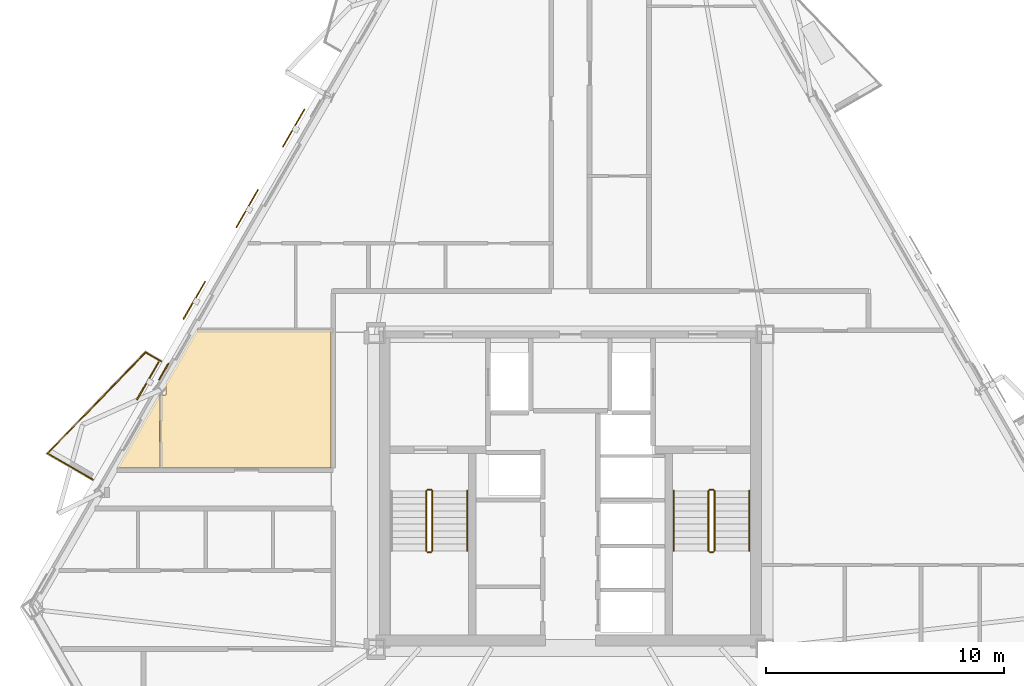
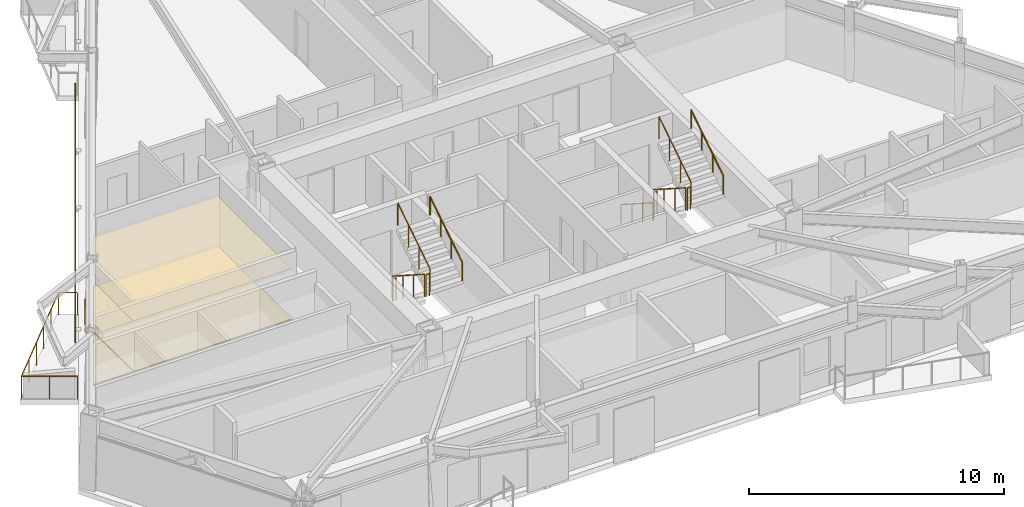
# One storey, part 8 of 9: 14 railings, 5 coverings, 4 shading devices.
"""IFC4 building model written with IfcOpenShell, lengths in metres."""

from ifc_helpers import new_model, si_unit, direction, frame, origin, origin_2d, place, context, subcontext, project, spatial, polyline, rectangle, circle, outline, extrude, material, layer, layer_set, type_object, element, save


model = new_model("IFC4")

# Units and contexts
model_context = context("Model", 3, precision=1e-05, world=origin(), true_north=direction((0.0, 1.0)))
body_context = subcontext(model_context, "Body", "Model", "MODEL_VIEW")
ifc_project = project(units=[si_unit("LENGTHUNIT", "METRE"), si_unit("AREAUNIT", "SQUARE_METRE"), si_unit("VOLUMEUNIT", "CUBIC_METRE"), si_unit("PLANEANGLEUNIT", "RADIAN"), si_unit("MASSUNIT", "GRAM", prefix="KILO")], contexts=[model_context])

# Site, building, storey
site_placement = place(None, origin())
site = spatial("IfcSite", under=ifc_project, at=site_placement, CompositionType="ELEMENT")
building_placement = place(site_placement, origin())
building = spatial("IfcBuilding", under=site, at=building_placement, Name="Oramaril Tower", CompositionType="ELEMENT")
storey_placement = place(building_placement, frame((0.0, 0.0, 145.800048828125)))
storey = spatial("IfcBuildingStorey", under=building, at=storey_placement, Name="L38", CompositionType="ELEMENT", Elevation=145.800048828125)

# Coverings
ifc_material_1 = material(Name="Mineral Fibre Acoustic Ceiling")
ifc_layer_1 = layer(ifc_material_1, 0.02001953125)
ifc_layer_set_1 = layer_set([ifc_layer_1], Name="CVT-CEIL")
covering_type_1 = type_object("IfcCoveringType", Name="CVT-CEIL", PredefinedType="CEILING", material=ifc_layer_set_1)
covering_1_placement = place(storey_placement, frame((0.0, 0.0, 2.411865234375)))
element("IfcCovering", 1, at=covering_1_placement, inside=storey, type_object=covering_type_1, Name="L38 Acoustic Suspended Ceiling 14", PredefinedType="CEILING", context=body_context, shape_type="SweptSolid", body=[
    extrude(outline(polyline([(20.292236328125, 21.608154296875), (20.538330078125, 21.608154296875), (20.538330078125, 22.097900390625), (20.509521484375, 22.097900390625), (21.816650390625, 24.362060546875), (27.449951171875, 24.362060546875), (27.449951171875, 24.239990234375), (27.4501953125, 24.238037109375), (27.450439453125, 24.236083984375), (27.450927734375, 24.234130859375), (27.451416015625, 24.232421875), (27.452392578125, 24.230712890625), (27.45263671875, 24.22998046875), (27.452392578125, 24.2294921875), (27.451416015625, 24.227783203125), (27.450927734375, 24.225830078125), (27.450439453125, 24.223876953125), (27.4501953125, 24.221923828125), (27.449951171875, 24.219970703125), (27.449951171875, 18.550048828125), (20.292236328125, 18.550048828125), (20.292236328125, 21.608154296875)])), origin(), (0.0, 0.0, 1.0), 0.02001953125),
])
covering_2_placement = place(storey_placement, frame((0.0, 0.0, 2.411865234375)))
element("IfcCovering", 2, at=covering_2_placement, inside=storey, type_object=covering_type_1, Name="L38 Acoustic Suspended Ceiling 15", PredefinedType="CEILING", context=body_context, shape_type="SweptSolid", body=[
    extrude(outline(polyline([(20.226806640625, 21.608154296875), (20.272216796875, 21.608154296875), (20.272216796875, 18.550048828125), (18.461181640625, 18.550048828125), (20.226806640625, 21.608154296875)])), origin(), (0.0, 0.0, 1.0), 0.02001953125),
])
ifc_material_2 = material(Name="Warm Cream Limestone", Category="masonry")
ifc_layer_2 = layer(ifc_material_2, 0.050048828125)
ifc_layer_set_2 = layer_set([ifc_layer_2], Name="CVT-CLD")
covering_type_2 = type_object("IfcCoveringType", Name="CVT-CLD", PredefinedType="CLADDING", material=ifc_layer_set_2)
covering_3_placement = place(storey_placement, frame((20.445068359375, 22.588134765625, 0.0400390625), z_axis=(0.0, 0.0, 1.0), x_axis=(-0.4999984885, -0.866026276448, 0.0)))
element("IfcCovering", 3, at=covering_3_placement, inside=storey, type_object=covering_type_2, Name="L38 Warm Cream Limestone Spandrel Cladding", PredefinedType="CLADDING", context=body_context, shape_type="SweptSolid", body=[
    extrude(rectangle(XDim=0.800048828125, YDim=0.050048828125, at=origin_2d()), origin(), (0.0, 0.0, 1.0), 0.679931640625),
])
ifc_material_3 = material(Name="Honed Quartzite Stone Flooring", Category="masonry")
ifc_layer_3 = layer(ifc_material_3, 0.02490234375)
ifc_layer_set_3 = layer_set([ifc_layer_3], Name="CVT-FLR")
covering_type_3 = type_object("IfcCoveringType", Name="CVT-FLR", PredefinedType="FLOORING", material=ifc_layer_set_3)
covering_4_placement = place(storey_placement, origin())
element("IfcCovering", 4, at=covering_4_placement, inside=storey, type_object=covering_type_3, Name="L38 Honed Stone Floor Finish 14", PredefinedType="FLOORING", context=body_context, shape_type="SweptSolid", body=[
    extrude(outline(polyline([(20.292236328125, 21.608154296875), (20.538330078125, 21.608154296875), (20.538330078125, 22.097900390625), (20.509521484375, 22.097900390625), (21.816650390625, 24.362060546875), (27.449951171875, 24.362060546875), (27.449951171875, 24.239990234375), (27.4501953125, 24.238037109375), (27.450439453125, 24.236083984375), (27.450927734375, 24.234130859375), (27.451416015625, 24.232421875), (27.452392578125, 24.230712890625), (27.45263671875, 24.22998046875), (27.452392578125, 24.2294921875), (27.451416015625, 24.227783203125), (27.450927734375, 24.225830078125), (27.450439453125, 24.223876953125), (27.4501953125, 24.221923828125), (27.449951171875, 24.219970703125), (27.449951171875, 18.550048828125), (20.292236328125, 18.550048828125), (20.292236328125, 21.608154296875)])), origin(), (0.0, 0.0, 1.0), 0.02490234375),
])
covering_5_placement = place(storey_placement, origin())
element("IfcCovering", 5, at=covering_5_placement, inside=storey, type_object=covering_type_3, Name="L38 Honed Stone Floor Finish 15", PredefinedType="FLOORING", context=body_context, shape_type="SweptSolid", body=[
    extrude(outline(polyline([(20.226806640625, 21.608154296875), (20.272216796875, 21.608154296875), (20.272216796875, 18.550048828125), (18.461181640625, 18.550048828125), (20.226806640625, 21.608154296875)])), origin(), (0.0, 0.0, 1.0), 0.02490234375),
])

# Railings
ifc_material_4 = material(Name="Stainless Steel 316L", Category="steel")
railing_type_1 = type_object("IfcRailingType", Name="RLT-GRD", PredefinedType="GUARDRAIL", material=ifc_material_4)
railing_1_placement = place(storey_placement, frame((17.46728515625, 18.060791015625, 0.0)))
element("IfcRailing", 6, at=railing_1_placement, inside=storey, type_object=railing_type_1, Name="L38 Balcony Guardrail L38-BAL-NW2.1", PredefinedType="GUARDRAIL", context=body_context, shape_type="SweptSolid", body=[
    extrude(circle(Radius=0.02392578125, at=origin_2d()), frame((0.0, 0.0, 1.076171875), z_axis=(-0.866020500697, 0.5000084923, 0.0), x_axis=(-0.5000084923, -0.866020500697, 0.0)), (0.0, 0.0, 1.0), 2.19189453125),
    extrude(circle(Radius=0.02099609375, at=origin_2d()), origin(), (0.0, 0.0, 1.0), 1.052001953125),
    extrude(circle(Radius=0.02099609375, at=origin_2d()), frame((-0.94921875, 0.5478515625, 0.0)), (0.0, 0.0, 1.0), 1.052001953125),
    extrude(circle(Radius=0.02099609375, at=origin_2d()), frame((-1.898193359375, 1.095947265625, 0.0)), (0.0, 0.0, 1.0), 1.052001953125),
])
railing_2_placement = place(storey_placement, frame((15.569091796875, 19.15673828125, 0.0)))
element("IfcRailing", 7, at=railing_2_placement, inside=storey, type_object=railing_type_1, Name="L38 Balcony Guardrail L38-BAL-NW2.2", PredefinedType="GUARDRAIL", context=body_context, shape_type="SweptSolid", body=[
    extrude(circle(Radius=0.02392578125, at=origin_2d()), frame((0.0, 0.0, 1.076171875), z_axis=(0.697165686546, 0.716910040034, 0.0), x_axis=(-0.716910040034, 0.697165686546, 0.0)), (0.0, 0.0, 1.0), 5.910400390625),
    extrude(circle(Radius=0.02099609375, at=origin_2d()), origin(), (0.0, 0.0, 1.0), 1.052001953125),
    extrude(circle(Radius=0.02099609375, at=origin_2d()), frame((0.82421875, 0.847412109375, 0.0)), (0.0, 0.0, 1.0), 1.052001953125),
    extrude(circle(Radius=0.02099609375, at=origin_2d()), frame((1.648193359375, 1.69482421875, 0.0)), (0.0, 0.0, 1.0), 1.052001953125),
    extrude(circle(Radius=0.02099609375, at=origin_2d()), frame((2.472412109375, 2.54248046875, 0.0)), (0.0, 0.0, 1.0), 1.052001953125),
    extrude(circle(Radius=0.02099609375, at=origin_2d()), frame((3.29638671875, 3.389892578125, 0.0)), (0.0, 0.0, 1.0), 1.052001953125),
    extrude(circle(Radius=0.02099609375, at=origin_2d()), frame((4.12060546875, 4.2373046875, 0.0)), (0.0, 0.0, 1.0), 1.052001953125),
])
railing_3_placement = place(storey_placement, frame((19.689697265625, 23.39404296875, 0.0)))
element("IfcRailing", 8, at=railing_3_placement, inside=storey, type_object=railing_type_1, Name="L38 Balcony Guardrail L38-BAL-NW2.3", PredefinedType="GUARDRAIL", context=body_context, shape_type="SweptSolid", body=[
    extrude(circle(Radius=0.02392578125, at=origin_2d()), frame((0.0, 0.0, 1.076171875), z_axis=(0.866108878364, -0.499855389907, 0.0), x_axis=(0.499855389907, 0.866108878364, 0.0)), (0.0, 0.0, 1.0), 0.741943359375),
    extrude(circle(Radius=0.02099609375, at=origin_2d()), origin(), (0.0, 0.0, 1.0), 1.052001953125),
    extrude(circle(Radius=0.02099609375, at=origin_2d()), frame((0.642578125, -0.370849609375, 0.0)), (0.0, 0.0, 1.0), 1.052001953125),
])
railing_4_placement = place(storey_placement, frame((31.4599609375, 17.590087890625, 0.179931640625)))
element("IfcRailing", 9, at=railing_4_placement, inside=storey, type_object=railing_type_1, Name="L38 ST-1 stair guard 1", PredefinedType="GUARDRAIL", context=body_context, shape_type="SweptSolid", body=[
    extrude(circle(Radius=0.02392578125, at=origin_2d()), frame((0.0, 0.0, 1.076171875), z_axis=(0.0, -0.841162588446, 0.540782303519), x_axis=(1.0, 0.0, 0.0)), (0.0, 0.0, 1.0), 2.995849609375),
    extrude(circle(Radius=0.02099609375, at=origin_2d()), origin(), (0.0, 0.0, 1.0), 1.052001953125),
    extrude(circle(Radius=0.02099609375, at=origin_2d()), frame((0.0, -0.840087890625, 0.5400390625)), (0.0, 0.0, 1.0), 1.052001953125),
    extrude(circle(Radius=0.02099609375, at=origin_2d()), frame((0.0, -1.679931640625, 1.080078125)), (0.0, 0.0, 1.0), 1.052001953125),
    extrude(circle(Radius=0.02099609375, at=origin_2d()), frame((0.0, -2.52001953125, 1.6201171875)), (0.0, 0.0, 1.0), 1.052001953125),
])
railing_5_placement = place(storey_placement, frame((31.510009765625, 15.02001953125, 1.800048828125)))
element("IfcRailing", 10, at=railing_5_placement, inside=storey, type_object=railing_type_1, Name="L38 ST-1 stair guard 2", PredefinedType="GUARDRAIL", context=body_context, shape_type="SweptSolid", body=[
    extrude(circle(Radius=0.02392578125, at=origin_2d()), frame((0.0, 0.0, 1.076171875), z_axis=(1.0, 0.0, 0.0), x_axis=(0.0, 1.0, 0.0)), (0.0, 0.0, 1.0), 0.14990234375),
    extrude(circle(Radius=0.02099609375, at=origin_2d()), origin(), (0.0, 0.0, 1.0), 1.052001953125),
    extrude(circle(Radius=0.02099609375, at=origin_2d()), frame((0.14990234375, 0.0, 0.0)), (0.0, 0.0, 1.0), 1.052001953125),
])
railing_6_placement = place(storey_placement, frame((31.7099609375, 15.070068359375, 1.97998046875)))
element("IfcRailing", 11, at=railing_6_placement, inside=storey, type_object=railing_type_1, Name="L38 ST-1 stair guard 3", PredefinedType="GUARDRAIL", context=body_context, shape_type="SweptSolid", body=[
    extrude(circle(Radius=0.02392578125, at=origin_2d()), frame((0.0, 0.0, 1.076171875), z_axis=(0.0, 0.841199657755, 0.540724639528), x_axis=(-1.0, 0.0, 0.0)), (0.0, 0.0, 1.0), 2.995849609375),
    extrude(circle(Radius=0.02099609375, at=origin_2d()), origin(), (0.0, 0.0, 1.0), 1.052001953125),
    extrude(circle(Radius=0.02099609375, at=origin_2d()), frame((0.0, 0.840087890625, 0.5400390625)), (0.0, 0.0, 1.0), 1.052001953125),
    extrude(circle(Radius=0.02099609375, at=origin_2d()), frame((0.0, 1.679931640625, 1.079833984375)), (0.0, 0.0, 1.0), 1.052001953125),
    extrude(circle(Radius=0.02099609375, at=origin_2d()), frame((0.0, 2.52001953125, 1.619873046875)), (0.0, 0.0, 1.0), 1.052001953125),
])
railing_7_placement = place(storey_placement, frame((31.510009765625, 17.639892578125, 0.0)))
element("IfcRailing", 12, at=railing_7_placement, inside=storey, type_object=railing_type_1, Name="L38 ST-1 stair guard 4", PredefinedType="GUARDRAIL", context=body_context, shape_type="SweptSolid", body=[
    extrude(circle(Radius=0.02392578125, at=origin_2d()), frame((0.0, 0.0, 1.076171875), z_axis=(1.0, 0.0, 0.0), x_axis=(0.0, 1.0, 0.0)), (0.0, 0.0, 1.0), 0.14990234375),
    extrude(circle(Radius=0.02099609375, at=origin_2d()), origin(), (0.0, 0.0, 1.0), 1.052001953125),
    extrude(circle(Radius=0.02099609375, at=origin_2d()), frame((0.14990234375, 0.0, 0.0)), (0.0, 0.0, 1.0), 1.052001953125),
])
railing_8_placement = place(storey_placement, frame((43.2900390625, 17.590087890625, 0.179931640625)))
element("IfcRailing", 13, at=railing_8_placement, inside=storey, type_object=railing_type_1, Name="L38 ST-2 stair guard 1", PredefinedType="GUARDRAIL", context=body_context, shape_type="SweptSolid", body=[
    extrude(circle(Radius=0.02392578125, at=origin_2d()), frame((0.0, 0.0, 1.076171875), z_axis=(0.0, -0.841162588446, 0.540782303519), x_axis=(1.0, 0.0, 0.0)), (0.0, 0.0, 1.0), 2.995849609375),
    extrude(circle(Radius=0.02099609375, at=origin_2d()), origin(), (0.0, 0.0, 1.0), 1.052001953125),
    extrude(circle(Radius=0.02099609375, at=origin_2d()), frame((0.0, -0.840087890625, 0.5400390625)), (0.0, 0.0, 1.0), 1.052001953125),
    extrude(circle(Radius=0.02099609375, at=origin_2d()), frame((0.0, -1.679931640625, 1.080078125)), (0.0, 0.0, 1.0), 1.052001953125),
    extrude(circle(Radius=0.02099609375, at=origin_2d()), frame((0.0, -2.52001953125, 1.6201171875)), (0.0, 0.0, 1.0), 1.052001953125),
])
railing_9_placement = place(storey_placement, frame((43.340087890625, 15.02001953125, 1.800048828125)))
element("IfcRailing", 14, at=railing_9_placement, inside=storey, type_object=railing_type_1, Name="L38 ST-2 stair guard 2", PredefinedType="GUARDRAIL", context=body_context, shape_type="SweptSolid", body=[
    extrude(circle(Radius=0.02392578125, at=origin_2d()), frame((0.0, 0.0, 1.076171875), z_axis=(1.0, 0.0, 0.0), x_axis=(0.0, 1.0, 0.0)), (0.0, 0.0, 1.0), 0.14990234375),
    extrude(circle(Radius=0.02099609375, at=origin_2d()), origin(), (0.0, 0.0, 1.0), 1.052001953125),
    extrude(circle(Radius=0.02099609375, at=origin_2d()), frame((0.14990234375, 0.0, 0.0)), (0.0, 0.0, 1.0), 1.052001953125),
])
railing_10_placement = place(storey_placement, frame((43.5400390625, 15.070068359375, 1.97998046875)))
element("IfcRailing", 15, at=railing_10_placement, inside=storey, type_object=railing_type_1, Name="L38 ST-2 stair guard 3", PredefinedType="GUARDRAIL", context=body_context, shape_type="SweptSolid", body=[
    extrude(circle(Radius=0.02392578125, at=origin_2d()), frame((0.0, 0.0, 1.076171875), z_axis=(0.0, 0.841199657755, 0.540724639528), x_axis=(-1.0, 0.0, 0.0)), (0.0, 0.0, 1.0), 2.995849609375),
    extrude(circle(Radius=0.02099609375, at=origin_2d()), origin(), (0.0, 0.0, 1.0), 1.052001953125),
    extrude(circle(Radius=0.02099609375, at=origin_2d()), frame((0.0, 0.840087890625, 0.5400390625)), (0.0, 0.0, 1.0), 1.052001953125),
    extrude(circle(Radius=0.02099609375, at=origin_2d()), frame((0.0, 1.679931640625, 1.079833984375)), (0.0, 0.0, 1.0), 1.052001953125),
    extrude(circle(Radius=0.02099609375, at=origin_2d()), frame((0.0, 2.52001953125, 1.619873046875)), (0.0, 0.0, 1.0), 1.052001953125),
])
railing_11_placement = place(storey_placement, frame((43.340087890625, 17.639892578125, 0.0)))
element("IfcRailing", 16, at=railing_11_placement, inside=storey, type_object=railing_type_1, Name="L38 ST-2 stair guard 4", PredefinedType="GUARDRAIL", context=body_context, shape_type="SweptSolid", body=[
    extrude(circle(Radius=0.02392578125, at=origin_2d()), frame((0.0, 0.0, 1.076171875), z_axis=(1.0, 0.0, 0.0), x_axis=(0.0, 1.0, 0.0)), (0.0, 0.0, 1.0), 0.14990234375),
    extrude(circle(Radius=0.02099609375, at=origin_2d()), origin(), (0.0, 0.0, 1.0), 1.052001953125),
    extrude(circle(Radius=0.02099609375, at=origin_2d()), frame((0.14990234375, 0.0, 0.0)), (0.0, 0.0, 1.0), 1.052001953125),
])
ifc_material_5 = material(Name="Stainless Steel 316L", Category="steel")
railing_type_2 = type_object("IfcRailingType", Name="RLT-HND", PredefinedType="HANDRAIL", material=ifc_material_5)
railing_12_placement = place(storey_placement, frame((33.169921875, 15.070068359375, 1.97998046875)))
element("IfcRailing", 17, at=railing_12_placement, inside=storey, type_object=railing_type_2, Name="L38 ST-1 stair handrail 2", PredefinedType="HANDRAIL", context=body_context, shape_type="SweptSolid", body=[
    extrude(circle(Radius=0.02392578125, at=origin_2d()), frame((0.0, 0.0, 0.8759765625), z_axis=(0.0, 0.841199657755, 0.540724639528), x_axis=(-1.0, 0.0, 0.0)), (0.0, 0.0, 1.0), 2.995849609375),
    extrude(circle(Radius=0.02099609375, at=origin_2d()), origin(), (0.0, 0.0, 1.0), 0.851806640625),
    extrude(circle(Radius=0.02099609375, at=origin_2d()), frame((0.0, 0.840087890625, 0.5400390625)), (0.0, 0.0, 1.0), 0.851806640625),
    extrude(circle(Radius=0.02099609375, at=origin_2d()), frame((0.0, 1.679931640625, 1.079833984375)), (0.0, 0.0, 1.0), 0.851806640625),
    extrude(circle(Radius=0.02099609375, at=origin_2d()), frame((0.0, 2.52001953125, 1.619873046875)), (0.0, 0.0, 1.0), 0.851806640625),
])
railing_13_placement = place(storey_placement, frame((41.830078125, 17.590087890625, 0.179931640625)))
element("IfcRailing", 18, at=railing_13_placement, inside=storey, type_object=railing_type_2, Name="L38 ST-2 stair handrail 1", PredefinedType="HANDRAIL", context=body_context, shape_type="SweptSolid", body=[
    extrude(circle(Radius=0.02392578125, at=origin_2d()), frame((0.0, 0.0, 0.8759765625), z_axis=(0.0, -0.841162588446, 0.540782303519), x_axis=(1.0, 0.0, 0.0)), (0.0, 0.0, 1.0), 2.995849609375),
    extrude(circle(Radius=0.02099609375, at=origin_2d()), origin(), (0.0, 0.0, 1.0), 0.851806640625),
    extrude(circle(Radius=0.02099609375, at=origin_2d()), frame((0.0, -0.840087890625, 0.5400390625)), (0.0, 0.0, 1.0), 0.851806640625),
    extrude(circle(Radius=0.02099609375, at=origin_2d()), frame((0.0, -1.679931640625, 1.080078125)), (0.0, 0.0, 1.0), 0.851806640625),
    extrude(circle(Radius=0.02099609375, at=origin_2d()), frame((0.0, -2.52001953125, 1.6201171875)), (0.0, 0.0, 1.0), 0.851806640625),
])
railing_14_placement = place(storey_placement, frame((45.0, 15.070068359375, 1.97998046875)))
element("IfcRailing", 19, at=railing_14_placement, inside=storey, type_object=railing_type_2, Name="L38 ST-2 stair handrail 2", PredefinedType="HANDRAIL", context=body_context, shape_type="SweptSolid", body=[
    extrude(circle(Radius=0.02392578125, at=origin_2d()), frame((0.0, 0.0, 0.8759765625), z_axis=(0.0, 0.841199657755, 0.540724639528), x_axis=(-1.0, 0.0, 0.0)), (0.0, 0.0, 1.0), 2.995849609375),
    extrude(circle(Radius=0.02099609375, at=origin_2d()), origin(), (0.0, 0.0, 1.0), 0.851806640625),
    extrude(circle(Radius=0.02099609375, at=origin_2d()), frame((0.0, 0.840087890625, 0.5400390625)), (0.0, 0.0, 1.0), 0.851806640625),
    extrude(circle(Radius=0.02099609375, at=origin_2d()), frame((0.0, 1.679931640625, 1.079833984375)), (0.0, 0.0, 1.0), 0.851806640625),
    extrude(circle(Radius=0.02099609375, at=origin_2d()), frame((0.0, 2.52001953125, 1.619873046875)), (0.0, 0.0, 1.0), 0.851806640625),
])

# Shading devices
for number, where, z_axis, x_axis, name in (
    (20, (21.724853515625, 25.5791015625, -0.02001953125), (0.0, 0.0, 1.0), (-0.4999984885, -0.866026276448, 0.0), "L38 Perforated Ceramic Solar Screen"),
    (21, (19.77490234375, 22.20166015625, -0.02001953125), (0.0, 0.0, 1.0), (-0.4999984885, -0.866026276448, 0.0), "L38 Perforated Ceramic Solar Screen"),
    (22, (25.896484375, 32.804443359375, -0.02001953125), (0.0, 0.0, 1.0), (-0.4999984885, -0.866026276448, 0.0), "L38 Perforated Ceramic Solar Screen"),
    (23, (23.946533203125, 29.427001953125, -0.02001953125), (0.0, 0.0, 1.0), (-0.4999984885, -0.866026276448, 0.0), "L38 Perforated Ceramic Solar Screen"),
):
    element("IfcShadingDevice", number, at=place(storey_placement, frame(where, z_axis=z_axis, x_axis=x_axis)), inside=storey, Name=name, ObjectType="SCREEN", PredefinedType="USERDEFINED", context=body_context, shape_type="SweptSolid", body=[
        extrude(rectangle(XDim=1.8330078125, YDim=0.050048828125, at=origin_2d()), origin(), (0.0, 0.0, 1.0), 2.60009765625),
    ])

save(model, "model.ifc")
